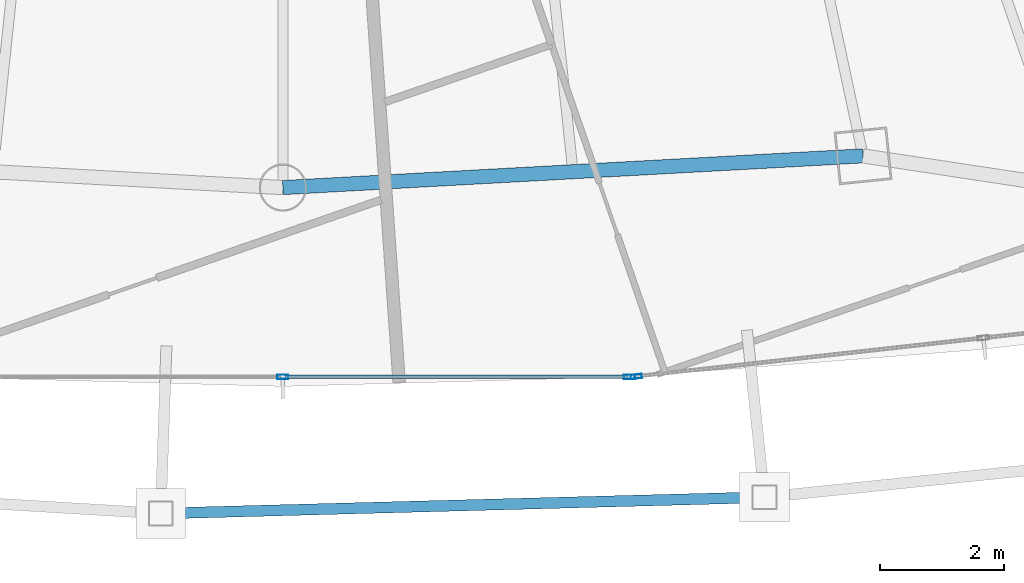
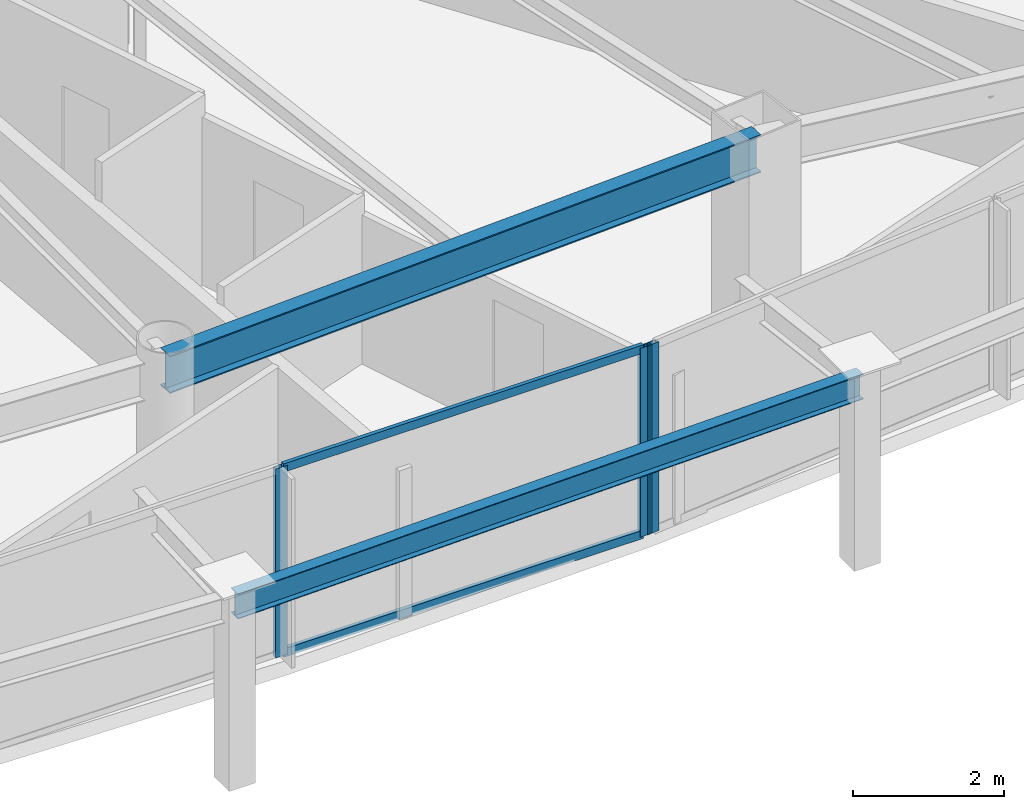
# One storey, part 8 of 29: 5 members, 2 beams, 2 elements without a shape of their own.
"""IFC4 building model written with IfcOpenShell, lengths in metres."""

from ifc_helpers import new_model, si_unit, direction, frame, origin, origin_2d, place, context, subcontext, project, spatial, hollow_rectangle, i_section, extrude, material, layer, layer_set, material_profile, profile_set, type_object, element, aggregate, save


model = new_model("IFC4")

# Units and contexts
model_context = context("Model", 3, precision=1e-05, world=origin(), true_north=direction((0.0, 1.0)))
body_context = subcontext(model_context, "Body", "Model", "MODEL_VIEW")
ifc_project = project(units=[si_unit("LENGTHUNIT", "METRE"), si_unit("AREAUNIT", "SQUARE_METRE"), si_unit("VOLUMEUNIT", "CUBIC_METRE"), si_unit("PLANEANGLEUNIT", "RADIAN"), si_unit("MASSUNIT", "GRAM", prefix="KILO")], contexts=[model_context])

# Site, building, storey
site_placement = place(None, origin())
site = spatial("IfcSite", under=ifc_project, at=site_placement, CompositionType="ELEMENT")
building_placement = place(site_placement, origin())
building = spatial("IfcBuilding", under=site, at=building_placement, Name="Orvanel Arch Residences", CompositionType="ELEMENT")
storey_placement = place(building_placement, frame((0.0, 0.0, 167.14990234375)))
storey = spatial("IfcBuildingStorey", under=building, at=storey_placement, Name="L47", CompositionType="ELEMENT", Elevation=167.14990234375)

# Curtain wall, members
ifc_material_1 = material(Name="Bronze-anodised aluminium AA6063-T6", Category="aluminium")
ifc_layer = layer(ifc_material_1, 0.179931640625)
ifc_layer_set = layer_set([ifc_layer], Name="Bronze-anodised aluminium AA6063-T6")
curtain_wall_type = type_object("IfcCurtainWallType", Name="CW3-MID-SYS", PredefinedType="NOTDEFINED", material=ifc_layer_set)
curtain_wall_1_placement = place(storey_placement, origin())
curtain_wall_1 = element("IfcCurtainWall", 1, at=curtain_wall_1_placement, inside=storey, type_object=curtain_wall_type, Name="L47 CW3-MID-SYS Unitised Curtain Wall", PredefinedType="NOTDEFINED")
ifc_material_profile_1 = material_profile(ifc_material_1, hollow_rectangle(XDim=0.070068359375, YDim=0.179931640625, WallThickness=0.00439453125, at=origin_2d()), Name="ALU180x70x4.5")
ifc_profile_set_1 = profile_set([ifc_material_profile_1], Name="Bronze-anodised aluminium AA6063-T6")
member_type_1 = type_object("IfcMemberType", Name="MUL-180x70", PredefinedType="MULLION", material=ifc_profile_set_1)
member_1_placement = place(storey_placement, frame((33.0, 3.79296875, 0.0), z_axis=(0.0, 0.0, 1.0), x_axis=(0.0, 1.0, 0.0)))
member_1 = element("IfcMember", 2, at=member_1_placement, type_object=member_type_1, Name="CW-S3 mullion 2", PredefinedType="MULLION", context=body_context, shape_type="SweptSolid", body=[
    extrude(hollow_rectangle(XDim=0.070068359375, YDim=0.179931640625, WallThickness=0.00439453125, at=origin_2d()), origin(), (0.0, 0.0, 1.0), 3.06005859375),
])
member_2_placement = place(storey_placement, frame((38.5859375, 3.79296875, 0.0), z_axis=(0.0, 0.0, 1.0), x_axis=(0.0, 1.0, 0.0)))
member_2 = element("IfcMember", 3, at=member_2_placement, type_object=member_type_1, Name="CW-S3 mullion 3", PredefinedType="MULLION", context=body_context, shape_type="SweptSolid", body=[
    extrude(hollow_rectangle(XDim=0.070068359375, YDim=0.179931640625, WallThickness=0.00439453125, at=origin_2d()), origin(), (0.0, 0.0, 1.0), 3.06005859375),
])

# Curtain wall, member
curtain_wall_2_placement = place(storey_placement, origin())
curtain_wall_2 = element("IfcCurtainWall", 4, at=curtain_wall_2_placement, inside=storey, type_object=curtain_wall_type, Name="L47 CW3-MID-SYS Unitised Curtain Wall", PredefinedType="NOTDEFINED")
member_3_placement = place(storey_placement, frame((38.69580078125, 3.798828125, 0.0), z_axis=(0.0, 0.0, 1.0), x_axis=(-0.11060596361, 0.993864337228, 0.0)))
member_3 = element("IfcMember", 5, at=member_3_placement, type_object=member_type_1, Name="CW-S3 mullion 1", PredefinedType="MULLION", context=body_context, shape_type="SweptSolid", body=[
    extrude(hollow_rectangle(XDim=0.070068359375, YDim=0.179931640625, WallThickness=0.00439453125, at=origin_2d()), origin(), (0.0, 0.0, 1.0), 3.06005859375),
])
aggregate(curtain_wall_2, [member_3])

# Beams
ifc_material_2 = material(Name="Structural steel AS/NZS 3679.1 Grade 300 (300 MPa)", Category="steel")
ifc_material_profile_2 = material_profile(ifc_material_2, i_section(OverallWidth=0.177978515625, OverallDepth=0.406005859375, WebThickness=0.0078125, FlangeThickness=0.0126953125, at=origin_2d()), Name="410UB59.7")
ifc_profile_set_2 = profile_set([ifc_material_profile_2], Name="Structural steel AS/NZS 3679.1 Grade 300 (300 MPa)")
beam_type_1 = type_object("IfcBeamType", Name="OB-410UB-EXT", PredefinedType="SPANDREL", material=ifc_profile_set_2)
beam_1_placement = place(storey_placement, frame((31.031005859375, 1.591064453125, 2.857177734375), z_axis=(0.999637838345, 0.026910818419, 0.0), x_axis=(-0.026910818419, 0.999637838345, 0.0)))
element("IfcBeam", 6, at=beam_1_placement, inside=storey, type_object=beam_type_1, Name="L47 Outer Perimeter Floor Ring Beam 06", PredefinedType="SPANDREL", context=body_context, shape_type="SweptSolid", body=[
    extrude(i_section(OverallWidth=0.177978515625, OverallDepth=0.406005859375, WebThickness=0.0078125, FlangeThickness=0.0126953125, at=origin_2d()), origin(), (0.0, 0.0, 1.0), 9.734375),
])
ifc_material_profile_3 = material_profile(ifc_material_2, i_section(OverallWidth=0.22900390625, OverallDepth=0.612060546875, WebThickness=0.011962890625, FlangeThickness=0.01953125, at=origin_2d()), Name="610UB125")
ifc_profile_set_3 = profile_set([ifc_material_profile_3], Name="Structural steel AS/NZS 3679.1 Grade 300 (300 MPa)")
beam_type_2 = type_object("IfcBeamType", Name="SP-610UB", PredefinedType="SPANDREL", material=ifc_profile_set_3)
beam_2_placement = place(storey_placement, frame((33.0, 6.843994140625, 2.754150390625), z_axis=(0.998510315598, 0.054563262768, 0.0), x_axis=(-0.054563262768, 0.998510315598, 0.0)))
element("IfcBeam", 7, at=beam_2_placement, inside=storey, type_object=beam_type_2, Name="L47 Perimeter Spandrel Beam 06", PredefinedType="SPANDREL", context=body_context, shape_type="SweptSolid", body=[
    extrude(i_section(OverallWidth=0.22900390625, OverallDepth=0.612060546875, WebThickness=0.011962890625, FlangeThickness=0.01953125, at=origin_2d()), origin(), (0.0, 0.0, 1.0), 9.364990234375),
])

# Member
ifc_material_profile_4 = material_profile(ifc_material_1, hollow_rectangle(XDim=0.06005859375, YDim=0.135009765625, WallThickness=0.00390625, at=origin_2d()), Name="ALU135x60x4")
ifc_profile_set_4 = profile_set([ifc_material_profile_4], Name="Bronze-anodised aluminium AA6063-T6")
member_type_2 = type_object("IfcMemberType", Name="TRN-135x60", PredefinedType="USERDEFINED", material=ifc_profile_set_4)
member_4_placement = place(storey_placement, frame((33.034912109375, 3.79296875, 0.030029296875), z_axis=(1.0, 0.0, 0.0), x_axis=(0.0, 1.0, 0.0)))
member_4 = element("IfcMember", 8, at=member_4_placement, type_object=member_type_2, Name="CW-S3 transom 2.1", ObjectType="TRANSOM", PredefinedType="USERDEFINED", context=body_context, shape_type="SweptSolid", body=[
    extrude(hollow_rectangle(XDim=0.06005859375, YDim=0.135009765625, WallThickness=0.00390625, at=origin_2d()), origin(), (0.0, 0.0, 1.0), 5.51611328125),
])

member_5_placement = place(storey_placement, frame((33.034912109375, 3.79296875, 3.030029296875), z_axis=(1.0, 0.0, 0.0), x_axis=(0.0, 1.0, 0.0)))
member_5 = element("IfcMember", 9, at=member_5_placement, type_object=member_type_2, Name="CW-S3 transom 2.2", ObjectType="TRANSOM", PredefinedType="USERDEFINED", context=body_context, shape_type="SweptSolid", body=[
    extrude(hollow_rectangle(XDim=0.06005859375, YDim=0.135009765625, WallThickness=0.00390625, at=origin_2d()), origin(), (0.0, 0.0, 1.0), 5.51611328125),
])

aggregate(curtain_wall_1, [member_1, member_2, member_4, member_5])

save(model, "model.ifc")
